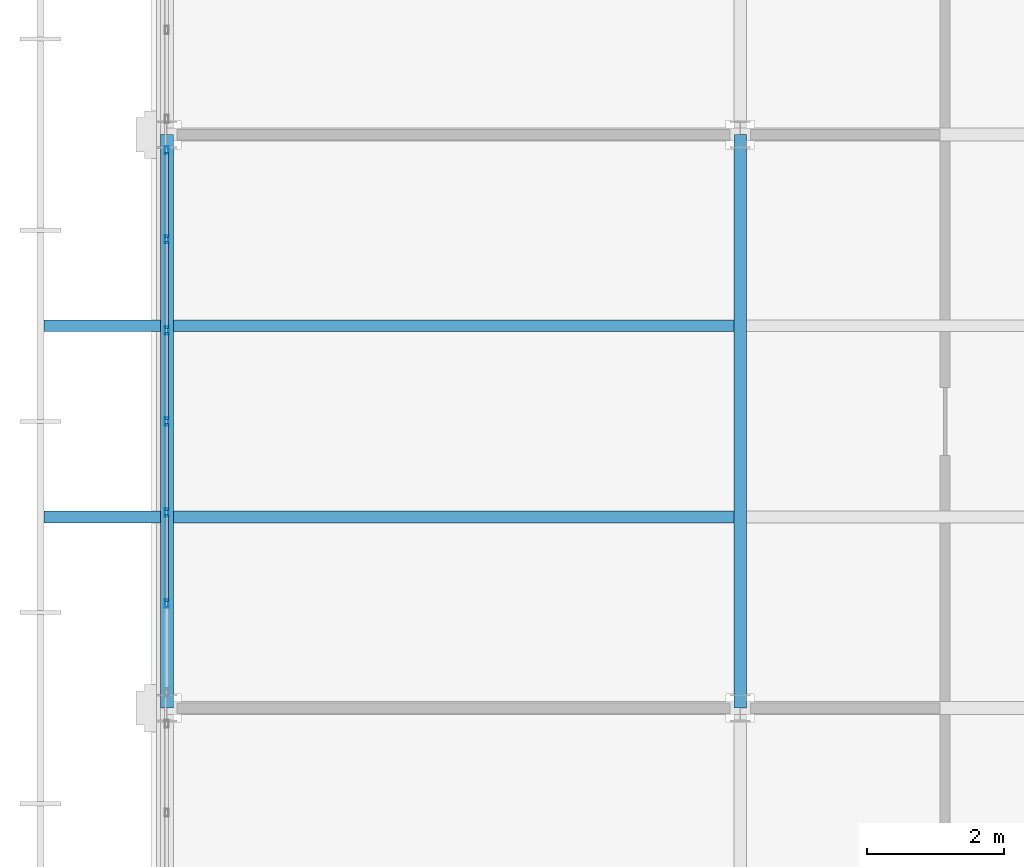
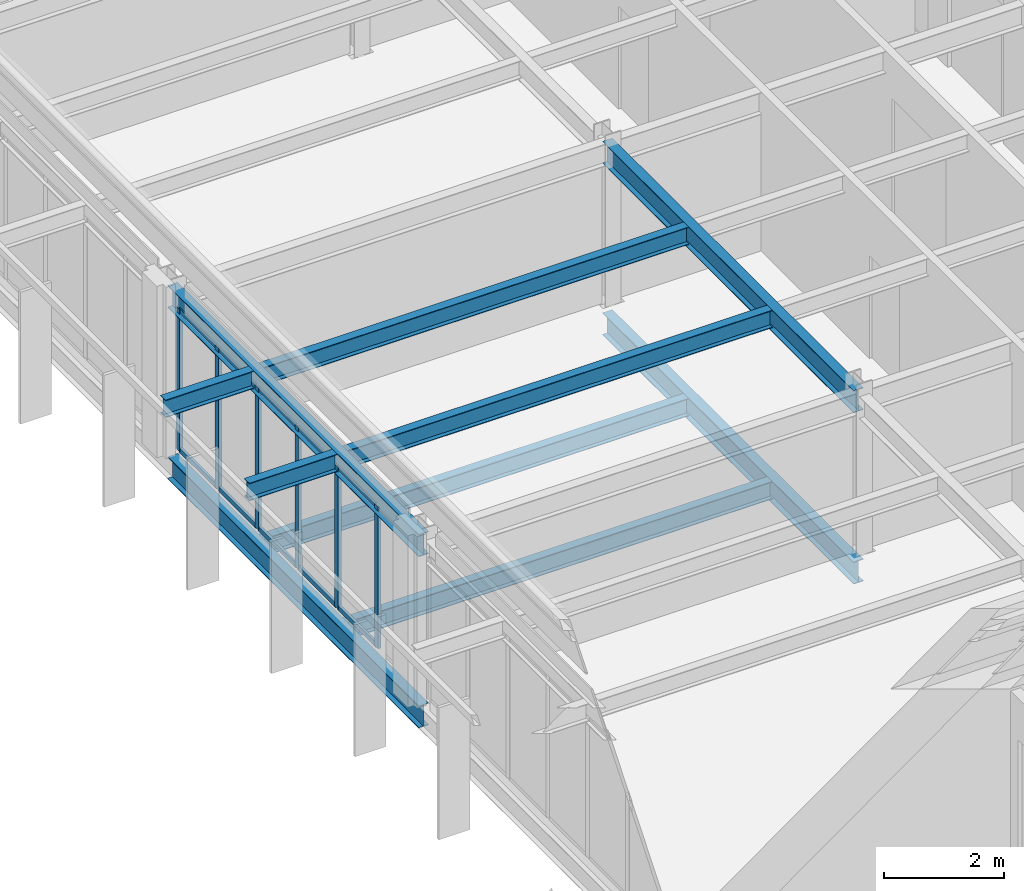
# One storey, part 8 of 31: 16 members, 10 beams, 1 element without a shape of its own.
"""IFC4 building model written with IfcOpenShell, lengths in metres."""

from ifc_helpers import new_model, si_unit, direction, frame, origin, origin_2d, place, context, subcontext, project, spatial, hollow_rectangle, i_section, extrude, material, material_profile, profile_set, type_object, element, aggregate, save


model = new_model("IFC4")

# Units and contexts
model_context = context("Model", 3, precision=1e-05, world=origin(), true_north=direction((0.0, 1.0)))
body_context = subcontext(model_context, "Body", "Model", "MODEL_VIEW")
ifc_project = project(units=[si_unit("LENGTHUNIT", "METRE"), si_unit("AREAUNIT", "SQUARE_METRE"), si_unit("VOLUMEUNIT", "CUBIC_METRE"), si_unit("PLANEANGLEUNIT", "RADIAN"), si_unit("MASSUNIT", "GRAM", prefix="KILO")], contexts=[model_context])

# Site, building, storey
site_placement = place(None, origin())
site = spatial("IfcSite", under=ifc_project, at=site_placement, CompositionType="ELEMENT")
building_placement = place(site_placement, origin())
building = spatial("IfcBuilding", under=site, at=building_placement, Name="Catenary Quay Ferry Terminal", CompositionType="ELEMENT")
storey_placement = place(building_placement, frame((0.0, 0.0, 20.60009765625)))
storey = spatial("IfcBuildingStorey", under=building, at=storey_placement, Name="L04", CompositionType="ELEMENT", Elevation=20.60009765625)

# Beams
ifc_material_1 = material(Name="Steel S355", Category="steel")
ifc_material_profile_1 = material_profile(ifc_material_1, i_section(OverallWidth=0.18994140625, OverallDepth=0.453369140625, WebThickness=0.008544921875, FlangeThickness=0.0126953125, at=origin_2d()), Name="UB 457x191x67")
ifc_profile_set_1 = profile_set([ifc_material_profile_1], Name="Steel S355")
beam_type_1 = type_object("IfcBeamType", Name="B1 UB 457x191x67", PredefinedType="BEAM", material=ifc_profile_set_1)
for number, where, z_axis, x_axis, name in (
    (1, (25.199951171875, 176.39990234375, -0.47705078125), (0.0, 1.0, 0.0), (-1.0, 0.0, 0.0), "Beam B1-012"),
    (2, (33.60009765625, 176.39990234375, -0.47705078125), (0.0, 1.0, 0.0), (-1.0, 0.0, 0.0), "Beam B1-023"),
    (3, (25.199951171875, 176.39990234375, 3.02294921875), (0.0, 1.0, 0.0), (-1.0, 0.0, 0.0), "Beam B1-009"),
    (4, (33.60009765625, 176.39990234375, 3.02294921875), (0.0, 1.0, 0.0), (-1.0, 0.0, 0.0), "Beam B1-016"),
):
    element("IfcBeam", number, at=place(storey_placement, frame(where, z_axis=z_axis, x_axis=x_axis)), inside=storey, type_object=beam_type_1, Name=name, PredefinedType="BEAM", context=body_context, shape_type="SweptSolid", body=[
        extrude(i_section(OverallWidth=0.18994140625, OverallDepth=0.453369140625, WebThickness=0.008544921875, FlangeThickness=0.0126953125, at=origin_2d()), origin(), (0.0, 0.0, 1.0), 8.400146484375),
    ])
ifc_material_2 = material(Name="Steel S355", Category="steel")
ifc_material_profile_2 = material_profile(ifc_material_2, i_section(OverallWidth=0.169921875, OverallDepth=0.360107421875, WebThickness=0.008056640625, FlangeThickness=0.0126953125, at=origin_2d()), Name="IPE 360")
ifc_profile_set_2 = profile_set([ifc_material_profile_2], Name="Steel S355")
beam_type_2 = type_object("IfcBeamType", Name="B7 IPE 360", PredefinedType="BEAM", material=ifc_profile_set_2)
for number, where, z_axis, x_axis, name in (
    (5, (25.294921875, 179.199951171875, -0.43017578125), (1.0, 0.0, 0.0), (0.0, 1.0, 0.0), "Beam B7-007"),
    (6, (25.294921875, 182.0, -0.43017578125), (1.0, 0.0, 0.0), (0.0, 1.0, 0.0), "Beam B7-010"),
    (7, (25.294921875, 179.199951171875, 3.06982421875), (1.0, 0.0, 0.0), (0.0, 1.0, 0.0), "Beam B7-005"),
    (8, (25.294921875, 182.0, 3.06982421875), (1.0, 0.0, 0.0), (0.0, 1.0, 0.0), "Beam B7-007"),
):
    element("IfcBeam", number, at=place(storey_placement, frame(where, z_axis=z_axis, x_axis=x_axis)), inside=storey, type_object=beam_type_2, Name=name, PredefinedType="BEAM", context=body_context, shape_type="SweptSolid", body=[
        extrude(i_section(OverallWidth=0.169921875, OverallDepth=0.360107421875, WebThickness=0.008056640625, FlangeThickness=0.0126953125, at=origin_2d()), origin(), (0.0, 0.0, 1.0), 8.2099609375),
    ])
ifc_material_3 = material(Name="Steel S355", Category="steel")
ifc_material_profile_3 = material_profile(ifc_material_3, i_section(OverallWidth=0.169921875, OverallDepth=0.360107421875, WebThickness=0.008056640625, FlangeThickness=0.0126953125, at=origin_2d()), Name="IPE 360")
ifc_profile_set_3 = profile_set([ifc_material_profile_3], Name="Steel S355")
beam_type_3 = type_object("IfcBeamType", Name="B9 IPE 360", PredefinedType="BEAM", material=ifc_profile_set_3)
for number, where, z_axis, x_axis, name in (
    (9, (25.1044921875, 179.199951171875, 3.06982421875), (-1.0, 0.0, 0.0), (0.0, -1.0, 0.0), "Eaves cantilever W3"),
    (10, (25.1044921875, 182.0, 3.06982421875), (-1.0, 0.0, 0.0), (0.0, -1.0, 0.0), "Eaves cantilever W4"),
):
    element("IfcBeam", number, at=place(storey_placement, frame(where, z_axis=z_axis, x_axis=x_axis)), inside=storey, type_object=beam_type_3, Name=name, PredefinedType="BEAM", context=body_context, shape_type="SweptSolid", body=[
        extrude(i_section(OverallWidth=0.169921875, OverallDepth=0.360107421875, WebThickness=0.008056640625, FlangeThickness=0.0126953125, at=origin_2d()), origin(), (0.0, 0.0, 1.0), 1.70458984375),
    ])

# Curtain wall, members
ifc_material_4 = material(Name="Aluminium and glass", Category="aluminium")
curtain_wall_type = type_object("IfcCurtainWallType", Name="CWW5", PredefinedType="NOTDEFINED", material=ifc_material_4)
curtain_wall_placement = place(storey_placement, origin())
curtain_wall = element("IfcCurtainWall", 11, at=curtain_wall_placement, inside=storey, type_object=curtain_wall_type, Name="Wing curtain wall CW155", PredefinedType="NOTDEFINED")
ifc_material_5 = material(Name="Aluminium", Category="aluminium")
ifc_material_profile_4 = material_profile(ifc_material_5, hollow_rectangle(XDim=0.06005859375, YDim=0.1201171875, WallThickness=0.0048828125, at=origin_2d()), Name="MU4")
ifc_profile_set_4 = profile_set([ifc_material_profile_4], Name="Aluminium")
member_type_1 = type_object("IfcMemberType", Name="MU4", PredefinedType="MULLION", material=ifc_profile_set_4)
member_1_placement = place(storey_placement, frame((25.199951171875, 177.933349609375, 0.0), z_axis=(0.0, 0.0, 1.0), x_axis=(-1.0, 0.0, 0.0)))
member_1 = element("IfcMember", 12, at=member_1_placement, type_object=member_type_1, Name="CW155 mullion 2", PredefinedType="MULLION", context=body_context, shape_type="SweptSolid", body=[
    extrude(hollow_rectangle(XDim=0.06005859375, YDim=0.1201171875, WallThickness=0.0048828125, at=origin_2d()), origin(), (0.0, 0.0, 1.0), 2.89990234375),
])
member_2_placement = place(storey_placement, frame((25.199951171875, 179.2666015625, 0.0), z_axis=(0.0, 0.0, 1.0), x_axis=(-1.0, 0.0, 0.0)))
member_2 = element("IfcMember", 13, at=member_2_placement, type_object=member_type_1, Name="CW155 mullion 3", PredefinedType="MULLION", context=body_context, shape_type="SweptSolid", body=[
    extrude(hollow_rectangle(XDim=0.06005859375, YDim=0.1201171875, WallThickness=0.0048828125, at=origin_2d()), origin(), (0.0, 0.0, 1.0), 2.89990234375),
])
member_3_placement = place(storey_placement, frame((25.199951171875, 180.60009765625, 0.0), z_axis=(0.0, 0.0, 1.0), x_axis=(-1.0, 0.0, 0.0)))
member_3 = element("IfcMember", 14, at=member_3_placement, type_object=member_type_1, Name="CW155 mullion 4", PredefinedType="MULLION", context=body_context, shape_type="SweptSolid", body=[
    extrude(hollow_rectangle(XDim=0.06005859375, YDim=0.1201171875, WallThickness=0.0048828125, at=origin_2d()), origin(), (0.0, 0.0, 1.0), 2.89990234375),
])
member_4_placement = place(storey_placement, frame((25.199951171875, 181.933349609375, 0.0), z_axis=(0.0, 0.0, 1.0), x_axis=(-1.0, 0.0, 0.0)))
member_4 = element("IfcMember", 15, at=member_4_placement, type_object=member_type_1, Name="CW155 mullion 5", PredefinedType="MULLION", context=body_context, shape_type="SweptSolid", body=[
    extrude(hollow_rectangle(XDim=0.06005859375, YDim=0.1201171875, WallThickness=0.0048828125, at=origin_2d()), origin(), (0.0, 0.0, 1.0), 2.89990234375),
])
member_5_placement = place(storey_placement, frame((25.199951171875, 183.2666015625, 0.0), z_axis=(0.0, 0.0, 1.0), x_axis=(-1.0, 0.0, 0.0)))
member_5 = element("IfcMember", 16, at=member_5_placement, type_object=member_type_1, Name="CW155 mullion 6", PredefinedType="MULLION", context=body_context, shape_type="SweptSolid", body=[
    extrude(hollow_rectangle(XDim=0.06005859375, YDim=0.1201171875, WallThickness=0.0048828125, at=origin_2d()), origin(), (0.0, 0.0, 1.0), 2.89990234375),
])
member_6_placement = place(storey_placement, frame((25.199951171875, 184.570068359375, 0.0), z_axis=(0.0, 0.0, 1.0), x_axis=(-1.0, 0.0, 0.0)))
member_6 = element("IfcMember", 17, at=member_6_placement, type_object=member_type_1, Name="CW155 mullion 7", PredefinedType="MULLION", context=body_context, shape_type="SweptSolid", body=[
    extrude(hollow_rectangle(XDim=0.06005859375, YDim=0.1201171875, WallThickness=0.0048828125, at=origin_2d()), origin(), (0.0, 0.0, 1.0), 2.89990234375),
])
ifc_material_6 = material(Name="Aluminium", Category="aluminium")
ifc_material_profile_5 = material_profile(ifc_material_6, hollow_rectangle(XDim=0.050048828125, YDim=0.10009765625, WallThickness=0.00390625, at=origin_2d()), Name="TR4")
ifc_profile_set_5 = profile_set([ifc_material_profile_5], Name="Aluminium")
member_type_2 = type_object("IfcMemberType", Name="TR4", PredefinedType="USERDEFINED", material=ifc_profile_set_5)
member_7_placement = place(storey_placement, frame((25.199951171875, 177.96337890625, 0.02490234375), z_axis=(0.0, 1.0, 0.0), x_axis=(-1.0, 0.0, 0.0)))
member_7 = element("IfcMember", 18, at=member_7_placement, type_object=member_type_2, Name="CW155 transom 2.1", ObjectType="TRANSOM", PredefinedType="USERDEFINED", context=body_context, shape_type="SweptSolid", body=[
    extrude(hollow_rectangle(XDim=0.050048828125, YDim=0.10009765625, WallThickness=0.00390625, at=origin_2d()), origin(), (0.0, 0.0, 1.0), 1.273193359375),
])
member_8_placement = place(storey_placement, frame((25.199951171875, 177.96337890625, 2.875), z_axis=(0.0, 1.0, 0.0), x_axis=(-1.0, 0.0, 0.0)))
member_8 = element("IfcMember", 19, at=member_8_placement, type_object=member_type_2, Name="CW155 transom 2.2", ObjectType="TRANSOM", PredefinedType="USERDEFINED", context=body_context, shape_type="SweptSolid", body=[
    extrude(hollow_rectangle(XDim=0.050048828125, YDim=0.10009765625, WallThickness=0.00390625, at=origin_2d()), origin(), (0.0, 0.0, 1.0), 1.273193359375),
])
member_9_placement = place(storey_placement, frame((25.199951171875, 179.296630859375, 0.02490234375), z_axis=(0.0, 1.0, 0.0), x_axis=(-1.0, 0.0, 0.0)))
member_9 = element("IfcMember", 20, at=member_9_placement, type_object=member_type_2, Name="CW155 transom 3.1", ObjectType="TRANSOM", PredefinedType="USERDEFINED", context=body_context, shape_type="SweptSolid", body=[
    extrude(hollow_rectangle(XDim=0.050048828125, YDim=0.10009765625, WallThickness=0.00390625, at=origin_2d()), origin(), (0.0, 0.0, 1.0), 1.2734375),
])
member_10_placement = place(storey_placement, frame((25.199951171875, 179.296630859375, 2.875), z_axis=(0.0, 1.0, 0.0), x_axis=(-1.0, 0.0, 0.0)))
member_10 = element("IfcMember", 21, at=member_10_placement, type_object=member_type_2, Name="CW155 transom 3.2", ObjectType="TRANSOM", PredefinedType="USERDEFINED", context=body_context, shape_type="SweptSolid", body=[
    extrude(hollow_rectangle(XDim=0.050048828125, YDim=0.10009765625, WallThickness=0.00390625, at=origin_2d()), origin(), (0.0, 0.0, 1.0), 1.2734375),
])
member_11_placement = place(storey_placement, frame((25.199951171875, 180.6298828125, 0.02490234375), z_axis=(0.0, 1.0, 0.0), x_axis=(-1.0, 0.0, 0.0)))
member_11 = element("IfcMember", 22, at=member_11_placement, type_object=member_type_2, Name="CW155 transom 4.1", ObjectType="TRANSOM", PredefinedType="USERDEFINED", context=body_context, shape_type="SweptSolid", body=[
    extrude(hollow_rectangle(XDim=0.050048828125, YDim=0.10009765625, WallThickness=0.00390625, at=origin_2d()), origin(), (0.0, 0.0, 1.0), 1.2734375),
])
member_12_placement = place(storey_placement, frame((25.199951171875, 180.6298828125, 2.875), z_axis=(0.0, 1.0, 0.0), x_axis=(-1.0, 0.0, 0.0)))
member_12 = element("IfcMember", 23, at=member_12_placement, type_object=member_type_2, Name="CW155 transom 4.2", ObjectType="TRANSOM", PredefinedType="USERDEFINED", context=body_context, shape_type="SweptSolid", body=[
    extrude(hollow_rectangle(XDim=0.050048828125, YDim=0.10009765625, WallThickness=0.00390625, at=origin_2d()), origin(), (0.0, 0.0, 1.0), 1.2734375),
])
member_13_placement = place(storey_placement, frame((25.199951171875, 181.96337890625, 0.02490234375), z_axis=(0.0, 1.0, 0.0), x_axis=(-1.0, 0.0, 0.0)))
member_13 = element("IfcMember", 24, at=member_13_placement, type_object=member_type_2, Name="CW155 transom 5.1", ObjectType="TRANSOM", PredefinedType="USERDEFINED", context=body_context, shape_type="SweptSolid", body=[
    extrude(hollow_rectangle(XDim=0.050048828125, YDim=0.10009765625, WallThickness=0.00390625, at=origin_2d()), origin(), (0.0, 0.0, 1.0), 1.273193359375),
])
member_14_placement = place(storey_placement, frame((25.199951171875, 181.96337890625, 2.875), z_axis=(0.0, 1.0, 0.0), x_axis=(-1.0, 0.0, 0.0)))
member_14 = element("IfcMember", 25, at=member_14_placement, type_object=member_type_2, Name="CW155 transom 5.2", ObjectType="TRANSOM", PredefinedType="USERDEFINED", context=body_context, shape_type="SweptSolid", body=[
    extrude(hollow_rectangle(XDim=0.050048828125, YDim=0.10009765625, WallThickness=0.00390625, at=origin_2d()), origin(), (0.0, 0.0, 1.0), 1.273193359375),
])
member_15_placement = place(storey_placement, frame((25.199951171875, 183.296630859375, 0.02490234375), z_axis=(0.0, 1.0, 0.0), x_axis=(-1.0, 0.0, 0.0)))
member_15 = element("IfcMember", 26, at=member_15_placement, type_object=member_type_2, Name="CW155 transom 6.1", ObjectType="TRANSOM", PredefinedType="USERDEFINED", context=body_context, shape_type="SweptSolid", body=[
    extrude(hollow_rectangle(XDim=0.050048828125, YDim=0.10009765625, WallThickness=0.00390625, at=origin_2d()), origin(), (0.0, 0.0, 1.0), 1.243408203125),
])
member_16_placement = place(storey_placement, frame((25.199951171875, 183.296630859375, 2.875), z_axis=(0.0, 1.0, 0.0), x_axis=(-1.0, 0.0, 0.0)))
member_16 = element("IfcMember", 27, at=member_16_placement, type_object=member_type_2, Name="CW155 transom 6.2", ObjectType="TRANSOM", PredefinedType="USERDEFINED", context=body_context, shape_type="SweptSolid", body=[
    extrude(hollow_rectangle(XDim=0.050048828125, YDim=0.10009765625, WallThickness=0.00390625, at=origin_2d()), origin(), (0.0, 0.0, 1.0), 1.243408203125),
])
aggregate(curtain_wall, [member_1, member_2, member_3, member_4, member_5, member_6, member_7, member_8, member_9, member_10, member_11, member_12, member_13, member_14, member_15, member_16])

save(model, "model.ifc")
